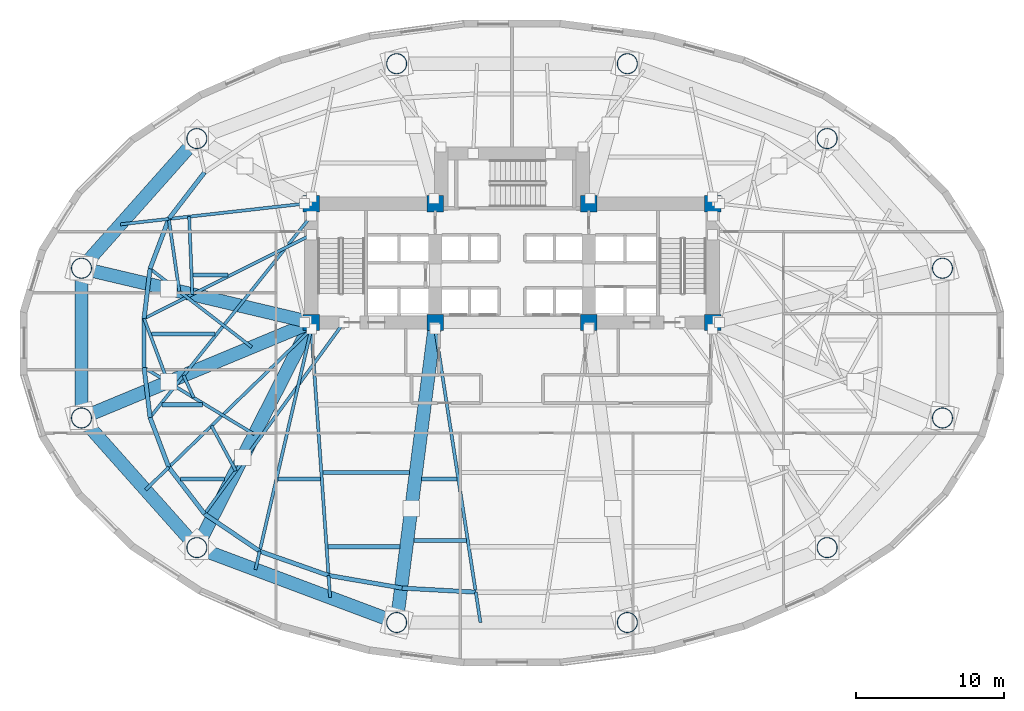
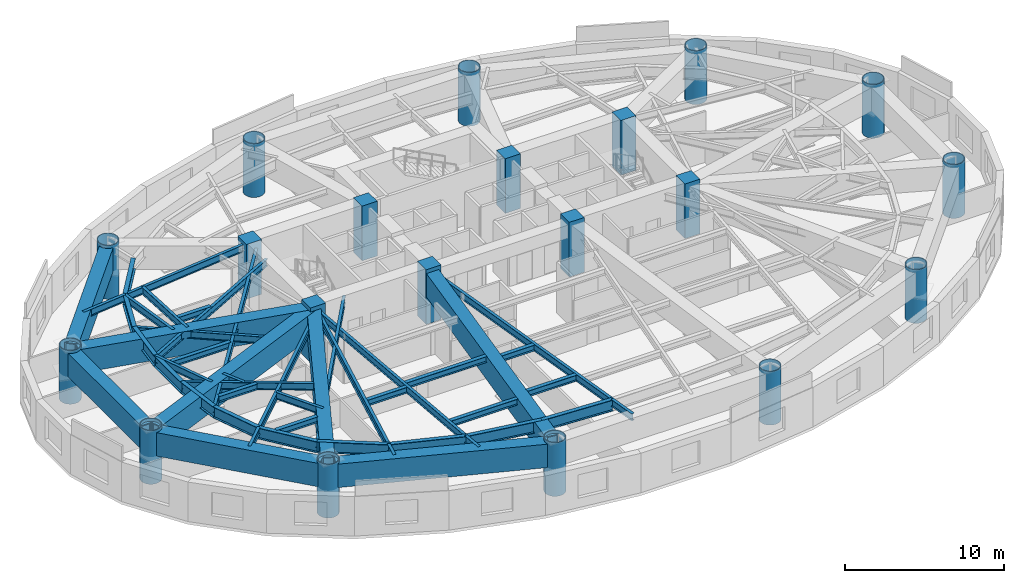
# One storey, part 1 of 14: 48 beams, 20 columns.
"""IFC4 building model written with IfcOpenShell, lengths in metres."""

from ifc_helpers import new_model, si_unit, direction, frame, origin, origin_2d, place, context, subcontext, project, spatial, rectangle, hollow_rectangle, hollow_circle, i_section, extrude, material, material_profile, profile_set, type_object, element, save


model = new_model("IFC4")

# Units and contexts
model_context = context("Model", 3, precision=1e-05, world=origin(), true_north=direction((0.0, 1.0)))
body_context = subcontext(model_context, "Body", "Model", "MODEL_VIEW")
ifc_project = project(units=[si_unit("LENGTHUNIT", "METRE"), si_unit("AREAUNIT", "SQUARE_METRE"), si_unit("VOLUMEUNIT", "CUBIC_METRE"), si_unit("PLANEANGLEUNIT", "RADIAN"), si_unit("MASSUNIT", "GRAM", prefix="KILO")], contexts=[model_context])

# Site, building, storey
site_placement = place(None, origin())
site = spatial("IfcSite", under=ifc_project, at=site_placement, CompositionType="ELEMENT")
building_placement = place(site_placement, origin())
building = spatial("IfcBuilding", under=site, at=building_placement, Name="Keldmark Tower", CompositionType="ELEMENT")
storey_placement = place(building_placement, frame((0.0, 0.0, 22.800048828125)))
storey = spatial("IfcBuildingStorey", under=building, at=storey_placement, Name="L05", CompositionType="ELEMENT", Elevation=22.800048828125)

# Columns
ifc_material_1 = material(Name="Concrete C70/85", Category="concrete")
ifc_material_profile_1 = material_profile(ifc_material_1, rectangle(XDim=1.10009765625, YDim=1.10009765625, at=origin_2d()), Name="RC1100X1100")
ifc_profile_set_1 = profile_set([ifc_material_profile_1], Name="Concrete C70/85")
column_type_1 = type_object("IfcColumnType", Name="Core Boundary Column RC1100", PredefinedType="COLUMN", material=ifc_profile_set_1)
for number, where, z_axis, x_axis, name in (
    (1, (-13.60009765625, 1.39990234375, 0.0), (0.0, 0.0, 1.0), (1.0, 0.0, 0.0), "L05 Core Boundary Column CC-W1"),
    (2, (-13.60009765625, 9.449951171875, 0.0), (0.0, 0.0, 1.0), (1.0, 0.0, 0.0), "L05 Core Boundary Column CC-W2"),
    (3, (-5.199951171875, 1.39990234375, 0.0), (0.0, 0.0, 1.0), (1.0, 0.0, 0.0), "L05 Core Boundary Column CC-W3"),
    (4, (-5.199951171875, 9.449951171875, 0.0), (0.0, 0.0, 1.0), (1.0, 0.0, 0.0), "L05 Core Boundary Column CC-W4"),
    (5, (5.199951171875, 1.39990234375, 0.0), (0.0, 0.0, 1.0), (1.0, 0.0, 0.0), "L05 Core Boundary Column CC-E1"),
    (6, (5.199951171875, 9.449951171875, 0.0), (0.0, 0.0, 1.0), (1.0, 0.0, 0.0), "L05 Core Boundary Column CC-E2"),
    (7, (13.60009765625, 1.39990234375, 0.0), (0.0, 0.0, 1.0), (1.0, 0.0, 0.0), "L05 Core Boundary Column CC-E3"),
    (8, (13.60009765625, 9.449951171875, 0.0), (0.0, 0.0, 1.0), (1.0, 0.0, 0.0), "L05 Core Boundary Column CC-E4"),
):
    element("IfcColumn", number, at=place(storey_placement, frame(where, z_axis=z_axis, x_axis=x_axis)), inside=storey, type_object=column_type_1, Name=name, PredefinedType="COLUMN", context=body_context, shape_type="SweptSolid", body=[
        extrude(rectangle(XDim=1.10009765625, YDim=1.10009765625, at=origin_2d()), origin(), (0.0, 0.0, 1.0), 4.199951171875),
    ])
ifc_material_2 = material(Name="Steel ASTM A572 Grade 50", Category="steel")
ifc_material_profile_2 = material_profile(ifc_material_2, hollow_circle(Radius=0.699951171875, WallThickness=0.050048828125, at=origin_2d()), Name="CHS1400X50")
ifc_profile_set_2 = profile_set([ifc_material_profile_2], Name="Steel ASTM A572 Grade 50")
column_type_2 = type_object("IfcColumnType", Name="Pilotis Mega-Column Upper CHS1400", PredefinedType="USERDEFINED", material=ifc_profile_set_2)
for number, where, z_axis, x_axis, name in (
    (9, (29.1708984375, 5.072998046875, 0.0), (0.0, 0.0, 1.0), (1.0, 0.0, 0.0), "L05 Pilotis Mega-Column MC-01"),
    (10, (21.3544921875, 13.859375, 0.0), (0.0, 0.0, 1.0), (1.0, 0.0, 0.0), "L05 Pilotis Mega-Column MC-02"),
    (11, (7.81640625, 18.93212890625, 0.0), (0.0, 0.0, 1.0), (1.0, 0.0, 0.0), "L05 Pilotis Mega-Column MC-03"),
    (12, (-7.81640625, 18.93212890625, 0.0), (0.0, 0.0, 1.0), (1.0, 0.0, 0.0), "L05 Pilotis Mega-Column MC-04"),
    (13, (-21.3544921875, 13.859375, 0.0), (0.0, 0.0, 1.0), (1.0, 0.0, 0.0), "L05 Pilotis Mega-Column MC-05"),
    (14, (-29.1708984375, 5.072998046875, 0.0), (0.0, 0.0, 1.0), (1.0, 0.0, 0.0), "L05 Pilotis Mega-Column MC-06"),
    (15, (-29.1708984375, -5.072998046875, 0.0), (0.0, 0.0, 1.0), (1.0, 0.0, 0.0), "L05 Pilotis Mega-Column MC-07"),
    (16, (-21.3544921875, -13.859375, 0.0), (0.0, 0.0, 1.0), (1.0, 0.0, 0.0), "L05 Pilotis Mega-Column MC-08"),
    (17, (-7.81640625, -18.93212890625, 0.0), (0.0, 0.0, 1.0), (1.0, 0.0, 0.0), "L05 Pilotis Mega-Column MC-09"),
    (18, (7.81640625, -18.93212890625, 0.0), (0.0, 0.0, 1.0), (1.0, 0.0, 0.0), "L05 Pilotis Mega-Column MC-10"),
    (19, (21.3544921875, -13.859375, 0.0), (0.0, 0.0, 1.0), (1.0, 0.0, 0.0), "L05 Pilotis Mega-Column MC-11"),
    (20, (29.1708984375, -5.072998046875, 0.0), (0.0, 0.0, 1.0), (1.0, 0.0, 0.0), "L05 Pilotis Mega-Column MC-12"),
):
    element("IfcColumn", number, at=place(storey_placement, frame(where, z_axis=z_axis, x_axis=x_axis)), inside=storey, type_object=column_type_2, Name=name, ObjectType="MEGA COLUMN", PredefinedType="USERDEFINED", context=body_context, shape_type="SweptSolid", body=[
        extrude(hollow_circle(Radius=0.699951171875, WallThickness=0.050048828125, at=origin_2d()), origin(), (0.0, 0.0, 1.0), 4.1298828125),
    ])

# Beams
ifc_material_3 = material(Name="Steel ASTM A992 Grade 50", Category="steel")
ifc_material_profile_3 = material_profile(ifc_material_3, i_section(OverallWidth=0.280029296875, OverallDepth=0.462890625, WebThickness=0.0107421875, FlangeThickness=0.017333984375, at=origin_2d()), Name="W18X76")
ifc_profile_set_3 = profile_set([ifc_material_profile_3], Name="Steel ASTM A992 Grade 50")
beam_type_1 = type_object("IfcBeamType", Name="Composite Floor Joist W18X76", PredefinedType="JOIST", material=ifc_profile_set_3)
beam_1_placement = place(storey_placement, frame((-12.470458984375, -13.800048828125, 3.66845703125), z_axis=(1.0, 0.0, 0.0), x_axis=(0.0, 1.0, 0.0)))
element("IfcBeam", 21, at=beam_1_placement, inside=storey, type_object=beam_type_1, Name="L05 Composite Floor Joist J01", PredefinedType="JOIST", context=body_context, shape_type="SweptSolid", body=[
    extrude(i_section(OverallWidth=0.280029296875, OverallDepth=0.462890625, WebThickness=0.0107421875, FlangeThickness=0.017333984375, at=origin_2d()), origin(), (0.0, 0.0, 1.0), 4.869873046875),
])
beam_2_placement = place(storey_placement, frame((-6.6572265625, -13.3798828125, 3.66845703125), z_axis=(1.0, 0.0, 0.0), x_axis=(0.0, 1.0, 0.0)))
element("IfcBeam", 22, at=beam_2_placement, inside=storey, type_object=beam_type_1, Name="L05 Composite Floor Joist J02", PredefinedType="JOIST", context=body_context, shape_type="SweptSolid", body=[
    extrude(i_section(OverallWidth=0.280029296875, OverallDepth=0.462890625, WebThickness=0.0107421875, FlangeThickness=0.017333984375, at=origin_2d()), origin(), (0.0, 0.0, 1.0), 3.56640625),
])
beam_3_placement = place(storey_placement, frame((-22.479248046875, -9.199951171875, 3.66845703125), z_axis=(1.0, 0.0, 0.0), x_axis=(0.0, 1.0, 0.0)))
element("IfcBeam", 23, at=beam_3_placement, inside=storey, type_object=beam_type_1, Name="L05 Composite Floor Joist J06", PredefinedType="JOIST", context=body_context, shape_type="SweptSolid", body=[
    extrude(i_section(OverallWidth=0.280029296875, OverallDepth=0.462890625, WebThickness=0.0107421875, FlangeThickness=0.017333984375, at=origin_2d()), origin(), (0.0, 0.0, 1.0), 2.9970703125),
])
beam_4_placement = place(storey_placement, frame((-15.859130859375, -9.199951171875, 3.66845703125), z_axis=(1.0, 0.0, 0.0), x_axis=(0.0, 1.0, 0.0)))
element("IfcBeam", 24, at=beam_4_placement, inside=storey, type_object=beam_type_1, Name="L05 Composite Floor Joist J07", PredefinedType="JOIST", context=body_context, shape_type="SweptSolid", body=[
    extrude(i_section(OverallWidth=0.280029296875, OverallDepth=0.462890625, WebThickness=0.0107421875, FlangeThickness=0.017333984375, at=origin_2d()), origin(), (0.0, 0.0, 1.0), 2.873779296875),
])
beam_5_placement = place(storey_placement, frame((-12.822265625, -8.780029296875, 3.66845703125), z_axis=(1.0, 0.0, 0.0), x_axis=(0.0, 1.0, 0.0)))
element("IfcBeam", 25, at=beam_5_placement, inside=storey, type_object=beam_type_1, Name="L05 Composite Floor Joist J08", PredefinedType="JOIST", context=body_context, shape_type="SweptSolid", body=[
    extrude(i_section(OverallWidth=0.280029296875, OverallDepth=0.462890625, WebThickness=0.0107421875, FlangeThickness=0.017333984375, at=origin_2d()), origin(), (0.0, 0.0, 1.0), 5.86767578125),
])
beam_6_placement = place(storey_placement, frame((-6.119384765625, -9.199951171875, 3.66845703125), z_axis=(1.0, 0.0, 0.0), x_axis=(0.0, 1.0, 0.0)))
element("IfcBeam", 26, at=beam_6_placement, inside=storey, type_object=beam_type_1, Name="L05 Composite Floor Joist J09", PredefinedType="JOIST", context=body_context, shape_type="SweptSolid", body=[
    extrude(i_section(OverallWidth=0.280029296875, OverallDepth=0.462890625, WebThickness=0.0107421875, FlangeThickness=0.017333984375, at=origin_2d()), origin(), (0.0, 0.0, 1.0), 2.385009765625),
])
beam_7_placement = place(storey_placement, frame((-23.717041015625, -4.179931640625, 3.66845703125), z_axis=(1.0, 0.0, 0.0), x_axis=(0.0, 1.0, 0.0)))
element("IfcBeam", 27, at=beam_7_placement, inside=storey, type_object=beam_type_1, Name="L05 Composite Floor Joist J15", PredefinedType="JOIST", context=body_context, shape_type="SweptSolid", body=[
    extrude(i_section(OverallWidth=0.280029296875, OverallDepth=0.462890625, WebThickness=0.0107421875, FlangeThickness=0.017333984375, at=origin_2d()), origin(), (0.0, 0.0, 1.0), 2.75830078125),
])
beam_8_placement = place(storey_placement, frame((-24.43603515625, 0.6201171875, 3.66845703125), z_axis=(1.0, 0.0, 0.0), x_axis=(0.0, 1.0, 0.0)))
element("IfcBeam", 28, at=beam_8_placement, inside=storey, type_object=beam_type_1, Name="L05 Composite Floor Joist J20", PredefinedType="JOIST", context=body_context, shape_type="SweptSolid", body=[
    extrude(i_section(OverallWidth=0.280029296875, OverallDepth=0.462890625, WebThickness=0.0107421875, FlangeThickness=0.017333984375, at=origin_2d()), origin(), (0.0, 0.0, 1.0), 4.310302734375),
])
beam_9_placement = place(storey_placement, frame((-21.6181640625, 4.6201171875, 3.66845703125), z_axis=(1.0, 0.0, 0.0), x_axis=(0.0, 1.0, 0.0)))
element("IfcBeam", 29, at=beam_9_placement, inside=storey, type_object=beam_type_1, Name="L05 Composite Floor Joist J22", PredefinedType="JOIST", context=body_context, shape_type="SweptSolid", body=[
    extrude(i_section(OverallWidth=0.280029296875, OverallDepth=0.462890625, WebThickness=0.0107421875, FlangeThickness=0.017333984375, at=origin_2d()), origin(), (0.0, 0.0, 1.0), 2.3671875),
])
ifc_material_4 = material(Name="Steel ASTM A572 Grade 50", Category="steel")
ifc_material_profile_4 = material_profile(ifc_material_4, hollow_rectangle(XDim=0.89990234375, YDim=1.800048828125, WallThickness=0.074951171875, at=origin_2d()), Name="TBOX1800X900X75")
ifc_profile_set_4 = profile_set([ifc_material_profile_4], Name="Steel ASTM A572 Grade 50")
beam_type_2 = type_object("IfcBeamType", Name="Perimeter Transfer Box Girder 1800x900", PredefinedType="USERDEFINED", material=ifc_profile_set_4)
beam_10_placement = place(storey_placement, frame((-21.65380859375, 13.523193359375, 3.0), z_axis=(-0.66464984112, -0.747154996436, 0.0), x_axis=(0.747154996436, -0.66464984112, 0.0)))
element("IfcBeam", 30, at=beam_10_placement, inside=storey, type_object=beam_type_2, Name="L05 Perimeter Transfer Ring Box Girder TRING-05", ObjectType="TRANSFER GIRDER", PredefinedType="USERDEFINED", context=body_context, shape_type="SweptSolid", body=[
    extrude(hollow_rectangle(XDim=0.89990234375, YDim=1.800048828125, WallThickness=0.074951171875, at=origin_2d()), origin(), (0.0, 0.0, 1.0), 10.85986328125),
])
beam_11_placement = place(storey_placement, frame((-29.1708984375, 4.622802734375, 3.0), z_axis=(0.0, -1.0, 0.0), x_axis=(1.0, 0.0, 0.0)))
element("IfcBeam", 31, at=beam_11_placement, inside=storey, type_object=beam_type_2, Name="L05 Perimeter Transfer Ring Box Girder TRING-06", ObjectType="TRANSFER GIRDER", PredefinedType="USERDEFINED", context=body_context, shape_type="SweptSolid", body=[
    extrude(hollow_rectangle(XDim=0.89990234375, YDim=1.800048828125, WallThickness=0.074951171875, at=origin_2d()), origin(), (0.0, 0.0, 1.0), 9.24560546875),
])
beam_12_placement = place(storey_placement, frame((-28.871826171875, -5.4091796875, 3.0), z_axis=(0.66464984112, -0.747154996436, 0.0), x_axis=(0.747154996436, 0.66464984112, 0.0)))
element("IfcBeam", 32, at=beam_12_placement, inside=storey, type_object=beam_type_2, Name="L05 Perimeter Transfer Ring Box Girder TRING-07", ObjectType="TRANSFER GIRDER", PredefinedType="USERDEFINED", context=body_context, shape_type="SweptSolid", body=[
    extrude(hollow_rectangle(XDim=0.89990234375, YDim=1.800048828125, WallThickness=0.074951171875, at=origin_2d()), origin(), (0.0, 0.0, 1.0), 10.85986328125),
])
beam_13_placement = place(storey_placement, frame((-20.93310546875, -14.01708984375, 3.0), z_axis=(0.936417954382, -0.350886612329, 0.0), x_axis=(0.350886612329, 0.936417954382, 0.0)))
element("IfcBeam", 33, at=beam_13_placement, inside=storey, type_object=beam_type_2, Name="L05 Perimeter Transfer Ring Box Girder TRING-08", ObjectType="TRANSFER GIRDER", PredefinedType="USERDEFINED", context=body_context, shape_type="SweptSolid", body=[
    extrude(hollow_rectangle(XDim=0.89990234375, YDim=1.800048828125, WallThickness=0.074951171875, at=origin_2d()), origin(), (0.0, 0.0, 1.0), 13.557373046875),
])
beam_14_placement = place(storey_placement, frame((-28.73291015625, 4.969482421875, 3.0), z_axis=(0.973292516513, -0.229568458854, 0.0), x_axis=(0.229568458854, 0.973292516513, 0.0)))
element("IfcBeam", 34, at=beam_14_placement, inside=storey, type_object=beam_type_2, Name="L05 Primary Transfer Box Girder TB-TC-W1", ObjectType="TRANSFER GIRDER", PredefinedType="USERDEFINED", context=body_context, shape_type="SweptSolid", body=[
    extrude(hollow_rectangle(XDim=0.89990234375, YDim=1.800048828125, WallThickness=0.074951171875, at=origin_2d()), origin(), (0.0, 0.0, 1.0), 15.1982421875),
])
beam_15_placement = place(storey_placement, frame((-28.755615234375, -4.900146484375, 3.0), z_axis=(0.923395872542, 0.383849010123, 0.0), x_axis=(-0.383849010123, 0.923395872542, 0.0)))
element("IfcBeam", 35, at=beam_15_placement, inside=storey, type_object=beam_type_2, Name="L05 Primary Transfer Box Girder TB-TC-W5", ObjectType="TRANSFER GIRDER", PredefinedType="USERDEFINED", context=body_context, shape_type="SweptSolid", body=[
    extrude(hollow_rectangle(XDim=0.89990234375, YDim=1.800048828125, WallThickness=0.074951171875, at=origin_2d()), origin(), (0.0, 0.0, 1.0), 16.06298828125),
])
beam_16_placement = place(storey_placement, frame((-21.150634765625, -13.4580078125, 3.0), z_axis=(0.45304555932, 0.891487364566, 0.0), x_axis=(-0.891487364566, 0.45304555932, 0.0)))
element("IfcBeam", 36, at=beam_16_placement, inside=storey, type_object=beam_type_2, Name="L05 Primary Transfer Box Girder TB-TC-W2", ObjectType="TRANSFER GIRDER", PredefinedType="USERDEFINED", context=body_context, shape_type="SweptSolid", body=[
    extrude(hollow_rectangle(XDim=0.89990234375, YDim=1.800048828125, WallThickness=0.074951171875, at=origin_2d()), origin(), (0.0, 0.0, 1.0), 16.31640625),
])
beam_17_placement = place(storey_placement, frame((-7.7587890625, -18.48583984375, 3.0), z_axis=(0.127622930912, 0.991822760127, 0.0), x_axis=(-0.991822760127, 0.127622930912, 0.0)))
element("IfcBeam", 37, at=beam_17_placement, inside=storey, type_object=beam_type_2, Name="L05 Primary Transfer Box Girder TB-TC-W3", ObjectType="TRANSFER GIRDER", PredefinedType="USERDEFINED", context=body_context, shape_type="SweptSolid", body=[
    extrude(hollow_rectangle(XDim=0.89990234375, YDim=1.800048828125, WallThickness=0.074951171875, at=origin_2d()), origin(), (0.0, 0.0, 1.0), 19.699951171875),
])
ifc_material_5 = material(Name="Steel ASTM A992 Grade 50", Category="steel")
ifc_material_profile_5 = material_profile(ifc_material_5, i_section(OverallWidth=0.2099609375, OverallDepth=0.537109375, WebThickness=0.010986328125, FlangeThickness=0.017333984375, at=origin_2d()), Name="W21X68")
ifc_profile_set_5 = profile_set([ifc_material_profile_5], Name="Steel ASTM A992 Grade 50")
beam_type_3 = type_object("IfcBeamType", Name="Radial Tie Girder W21X68", PredefinedType="BEAM", material=ifc_profile_set_5)
beam_18_placement = place(storey_placement, frame((-14.050048828125, 9.449951171875, 3.63134765625), z_axis=(-0.99373468257, -0.111764845358, 0.0), x_axis=(0.111764845358, -0.99373468257, 0.0)))
element("IfcBeam", 38, at=beam_18_placement, inside=storey, type_object=beam_type_3, Name="L05 Perimeter Radial Tie Girder RT-14", PredefinedType="BEAM", context=body_context, shape_type="SweptSolid", body=[
    extrude(i_section(OverallWidth=0.2099609375, OverallDepth=0.537109375, WebThickness=0.010986328125, FlangeThickness=0.017333984375, at=origin_2d()), origin(), (0.0, 0.0, 1.0), 9.26416015625),
])
beam_19_placement = place(storey_placement, frame((-23.256103515625, 8.41455078125, 3.63134765625), z_axis=(-0.993735334561, -0.111759048155, 0.0), x_axis=(0.111759048155, -0.993735334561, 0.0)))
element("IfcBeam", 39, at=beam_19_placement, inside=storey, type_object=beam_type_3, Name="L05 Podium Overhang Tie Girder RT-14X", PredefinedType="BEAM", context=body_context, shape_type="SweptSolid", body=[
    extrude(i_section(OverallWidth=0.2099609375, OverallDepth=0.537109375, WebThickness=0.010986328125, FlangeThickness=0.017333984375, at=origin_2d()), origin(), (0.0, 0.0, 1.0), 3.289794921875),
])
beam_20_placement = place(storey_placement, frame((-23.256103515625, 8.41455078125, 3.63134765625), z_axis=(0.14340739452, -0.989663740468, 0.0), x_axis=(0.989663740468, 0.14340739452, 0.0)))
element("IfcBeam", 40, at=beam_20_placement, inside=storey, type_object=beam_type_3, Name="L05 Framing Pin Header PH-005", PredefinedType="BEAM", context=body_context, shape_type="SweptSolid", body=[
    extrude(i_section(OverallWidth=0.2099609375, OverallDepth=0.537109375, WebThickness=0.010986328125, FlangeThickness=0.017333984375, at=origin_2d()), origin(), (0.0, 0.0, 1.0), 4.955810546875),
])
beam_21_placement = place(storey_placement, frame((-17.63134765625, -0.27587890625, 3.63134765625), z_axis=(-0.792168113239, 0.610302941471, 0.0), x_axis=(-0.610302941471, -0.792168113239, 0.0)))
element("IfcBeam", 41, at=beam_21_placement, inside=storey, type_object=beam_type_3, Name="L05 Perimeter Radial Tie Girder RT-15", PredefinedType="BEAM", context=body_context, shape_type="SweptSolid", body=[
    extrude(i_section(OverallWidth=0.2099609375, OverallDepth=0.537109375, WebThickness=0.010986328125, FlangeThickness=0.017333984375, at=origin_2d()), origin(), (0.0, 0.0, 1.0), 8.704345703125),
])
beam_22_placement = place(storey_placement, frame((-21.875244140625, 8.56982421875, 3.63134765625), z_axis=(0.040700294747, -0.999171399715, 0.0), x_axis=(0.999171399715, 0.040700294747, 0.0)))
element("IfcBeam", 42, at=beam_22_placement, inside=storey, type_object=beam_type_3, Name="L05 Framing Pin Header PH-006", PredefinedType="BEAM", context=body_context, shape_type="SweptSolid", body=[
    extrude(i_section(OverallWidth=0.2099609375, OverallDepth=0.537109375, WebThickness=0.010986328125, FlangeThickness=0.017333984375, at=origin_2d()), origin(), (0.0, 0.0, 1.0), 5.272705078125),
])
beam_23_placement = place(storey_placement, frame((-13.60009765625, 7.343017578125, 3.63134765625), z_axis=(-0.893925809791, -0.448214955784, 0.0), x_axis=(0.448214955784, -0.893925809791, 0.0)))
element("IfcBeam", 43, at=beam_23_placement, inside=storey, type_object=beam_type_3, Name="L05 Perimeter Radial Tie Girder RT-16", PredefinedType="BEAM", context=body_context, shape_type="SweptSolid", body=[
    extrude(i_section(OverallWidth=0.2099609375, OverallDepth=0.537109375, WebThickness=0.010986328125, FlangeThickness=0.017333984375, at=origin_2d()), origin(), (0.0, 0.0, 1.0), 12.674560546875),
])
beam_24_placement = place(storey_placement, frame((-24.93017578125, 1.662109375, 3.63134765625), z_axis=(0.351385505879, -0.936230861625, 0.0), x_axis=(0.936230861625, 0.351385505879, 0.0)))
element("IfcBeam", 44, at=beam_24_placement, inside=storey, type_object=beam_type_3, Name="L05 Framing Pin Header PH-007", PredefinedType="BEAM", context=body_context, shape_type="SweptSolid", body=[
    extrude(i_section(OverallWidth=0.2099609375, OverallDepth=0.537109375, WebThickness=0.010986328125, FlangeThickness=0.017333984375, at=origin_2d()), origin(), (0.0, 0.0, 1.0), 4.593994140625),
])
beam_25_placement = place(storey_placement, frame((-17.45458984375, -6.18505859375, 3.63134765625), z_axis=(-0.855588665632, 0.517656290643, 0.0), x_axis=(-0.517656290643, -0.855588665632, 0.0)))
element("IfcBeam", 45, at=beam_25_placement, inside=storey, type_object=beam_type_3, Name="L05 Perimeter Radial Tie Girder RT-17", PredefinedType="BEAM", context=body_context, shape_type="SweptSolid", body=[
    extrude(i_section(OverallWidth=0.2099609375, OverallDepth=0.537109375, WebThickness=0.010986328125, FlangeThickness=0.017333984375, at=origin_2d()), origin(), (0.0, 0.0, 1.0), 8.7373046875),
])
beam_26_placement = place(storey_placement, frame((-21.566162109375, -3.697509765625, 3.63134765625), z_axis=(-0.418044789549, 0.908426416355, 0.0), x_axis=(-0.908426416355, -0.418044789549, 0.0)))
element("IfcBeam", 46, at=beam_26_placement, inside=storey, type_object=beam_type_3, Name="L05 Framing Pin Header PH-008", PredefinedType="BEAM", context=body_context, shape_type="SweptSolid", body=[
    extrude(i_section(OverallWidth=0.2099609375, OverallDepth=0.537109375, WebThickness=0.010986328125, FlangeThickness=0.017333984375, at=origin_2d()), origin(), (0.0, 0.0, 1.0), 1.650390625),
])
beam_27_placement = place(storey_placement, frame((-13.60009765625, 8.621337890625, 3.63134765625), z_axis=(-0.624706963166, -0.780859276805, 0.0), x_axis=(0.780859276805, -0.624706963166, 0.0)))
element("IfcBeam", 47, at=beam_27_placement, inside=storey, type_object=beam_type_3, Name="L05 Perimeter Radial Tie Girder RT-18", PredefinedType="BEAM", context=body_context, shape_type="SweptSolid", body=[
    extrude(i_section(OverallWidth=0.2099609375, OverallDepth=0.537109375, WebThickness=0.010986328125, FlangeThickness=0.017333984375, at=origin_2d()), origin(), (0.0, 0.0, 1.0), 17.49072265625),
])
beam_28_placement = place(storey_placement, frame((-13.60009765625, 0.949951171875, 3.63134765625), z_axis=(-0.717859436099, -0.696188070857, 0.0), x_axis=(0.696188070857, -0.717859436099, 0.0)))
element("IfcBeam", 48, at=beam_28_placement, inside=storey, type_object=beam_type_3, Name="L05 Perimeter Radial Tie Girder RT-19", PredefinedType="BEAM", context=body_context, shape_type="SweptSolid", body=[
    extrude(i_section(OverallWidth=0.2099609375, OverallDepth=0.537109375, WebThickness=0.010986328125, FlangeThickness=0.017333984375, at=origin_2d()), origin(), (0.0, 0.0, 1.0), 13.451171875),
])
beam_29_placement = place(storey_placement, frame((-23.256103515625, -8.41455078125, 3.63134765625), z_axis=(-0.717897032676, -0.696149301856, 0.0), x_axis=(0.696149301856, -0.717897032676, 0.0)))
element("IfcBeam", 49, at=beam_29_placement, inside=storey, type_object=beam_type_3, Name="L05 Podium Overhang Tie Girder RT-19X", PredefinedType="BEAM", context=body_context, shape_type="SweptSolid", body=[
    extrude(i_section(OverallWidth=0.2099609375, OverallDepth=0.537109375, WebThickness=0.010986328125, FlangeThickness=0.017333984375, at=origin_2d()), origin(), (0.0, 0.0, 1.0), 2.2001953125),
])
beam_30_placement = place(storey_placement, frame((-20.359375, -5.605224609375, 3.63134765625), z_axis=(0.474804584823, -0.880091248809, 0.0), x_axis=(0.880091248809, 0.474804584823, 0.0)))
element("IfcBeam", 50, at=beam_30_placement, inside=storey, type_object=beam_type_3, Name="L05 Framing Pin Header PH-009", PredefinedType="BEAM", context=body_context, shape_type="SweptSolid", body=[
    extrude(i_section(OverallWidth=0.2099609375, OverallDepth=0.537109375, WebThickness=0.010986328125, FlangeThickness=0.017333984375, at=origin_2d()), origin(), (0.0, 0.0, 1.0), 3.4697265625),
])
beam_31_placement = place(storey_placement, frame((-11.392822265625, 1.39990234375, 3.63134765625), z_axis=(-0.588349932487, -0.808606428952, 0.0), x_axis=(0.808606428952, -0.588349932487, 0.0)))
element("IfcBeam", 51, at=beam_31_placement, inside=storey, type_object=beam_type_3, Name="L05 Perimeter Radial Tie Girder RT-20", PredefinedType="BEAM", context=body_context, shape_type="SweptSolid", body=[
    extrude(i_section(OverallWidth=0.2099609375, OverallDepth=0.537109375, WebThickness=0.010986328125, FlangeThickness=0.017333984375, at=origin_2d()), origin(), (0.0, 0.0, 1.0), 16.04345703125),
])
beam_32_placement = place(storey_placement, frame((-13.60009765625, 0.949951171875, 3.63134765625), z_axis=(-0.22626355798, -0.974066118049, 0.0), x_axis=(0.974066118049, -0.22626355798, 0.0)))
element("IfcBeam", 52, at=beam_32_placement, inside=storey, type_object=beam_type_3, Name="L05 Perimeter Radial Tie Girder RT-21", PredefinedType="BEAM", context=body_context, shape_type="SweptSolid", body=[
    extrude(i_section(OverallWidth=0.2099609375, OverallDepth=0.537109375, WebThickness=0.010986328125, FlangeThickness=0.017333984375, at=origin_2d()), origin(), (0.0, 0.0, 1.0), 15.452392578125),
])
beam_33_placement = place(storey_placement, frame((-17.096435546875, -14.101806640625, 3.63134765625), z_axis=(-0.226408110408, -0.974032528996, 0.0), x_axis=(0.974032528996, -0.226408110408, 0.0)))
element("IfcBeam", 53, at=beam_33_placement, inside=storey, type_object=beam_type_3, Name="L05 Podium Overhang Tie Girder RT-21X", PredefinedType="BEAM", context=body_context, shape_type="SweptSolid", body=[
    extrude(i_section(OverallWidth=0.2099609375, OverallDepth=0.537109375, WebThickness=0.010986328125, FlangeThickness=0.017333984375, at=origin_2d()), origin(), (0.0, 0.0, 1.0), 1.27783203125),
])
beam_34_placement = place(storey_placement, frame((-13.60009765625, 0.949951171875, 3.63134765625), z_axis=(0.069885605544, -0.997555012086, 0.0), x_axis=(0.997555012086, 0.069885605544, 0.0)))
element("IfcBeam", 54, at=beam_34_placement, inside=storey, type_object=beam_type_3, Name="L05 Perimeter Radial Tie Girder RT-22", PredefinedType="BEAM", context=body_context, shape_type="SweptSolid", body=[
    extrude(i_section(OverallWidth=0.2099609375, OverallDepth=0.537109375, WebThickness=0.010986328125, FlangeThickness=0.017333984375, at=origin_2d()), origin(), (0.0, 0.0, 1.0), 16.733642578125),
])
beam_35_placement = place(storey_placement, frame((-12.4306640625, -15.74267578125, 3.63134765625), z_axis=(0.069827511722, -0.997559080259, 0.0), x_axis=(0.997559080259, 0.069827511722, 0.0)))
element("IfcBeam", 55, at=beam_35_placement, inside=storey, type_object=beam_type_3, Name="L05 Podium Overhang Tie Girder RT-22X", PredefinedType="BEAM", context=body_context, shape_type="SweptSolid", body=[
    extrude(i_section(OverallWidth=0.2099609375, OverallDepth=0.537109375, WebThickness=0.010986328125, FlangeThickness=0.017333984375, at=origin_2d()), origin(), (0.0, 0.0, 1.0), 1.50341796875),
])
beam_36_placement = place(storey_placement, frame((-5.199951171875, 0.949951171875, 3.63134765625), z_axis=(0.152177211887, -0.9883532244, 0.0), x_axis=(0.9883532244, 0.152177211887, 0.0)))
element("IfcBeam", 56, at=beam_36_placement, inside=storey, type_object=beam_type_3, Name="L05 Perimeter Radial Tie Girder RT-24", PredefinedType="BEAM", context=body_context, shape_type="SweptSolid", body=[
    extrude(i_section(OverallWidth=0.2099609375, OverallDepth=0.537109375, WebThickness=0.010986328125, FlangeThickness=0.017333984375, at=origin_2d()), origin(), (0.0, 0.0, 1.0), 18.03564453125),
])
beam_37_placement = place(storey_placement, frame((-2.455322265625, -16.875732421875, 3.63134765625), z_axis=(0.152074819396, -0.988368984391, 0.0), x_axis=(0.988368984391, 0.152074819396, 0.0)))
element("IfcBeam", 57, at=beam_37_placement, inside=storey, type_object=beam_type_3, Name="L05 Podium Overhang Tie Girder RT-24X", PredefinedType="BEAM", context=body_context, shape_type="SweptSolid", body=[
    extrude(i_section(OverallWidth=0.2099609375, OverallDepth=0.537109375, WebThickness=0.010986328125, FlangeThickness=0.017333984375, at=origin_2d()), origin(), (0.0, 0.0, 1.0), 2.08056640625),
])
ifc_material_6 = material(Name="Steel ASTM A992 Grade 50", Category="steel")
ifc_material_profile_6 = material_profile(ifc_material_6, i_section(OverallWidth=0.2919921875, OverallDepth=0.85888671875, WebThickness=0.01708984375, FlangeThickness=0.031005859375, at=origin_2d()), Name="W33X169")
ifc_profile_set_6 = profile_set([ifc_material_profile_6], Name="Steel ASTM A992 Grade 50")
beam_type_4 = type_object("IfcBeamType", Name="Spandrel Ring Beam W33X169", PredefinedType="SPANDREL", material=ifc_profile_set_6)
beam_38_placement = place(storey_placement, frame((-20.83203125, 11.572998046875, 3.470458984375), z_axis=(-0.608842118876, -0.793291418259, 0.0), x_axis=(0.793291418259, -0.608842118876, 0.0)))
element("IfcBeam", 58, at=beam_38_placement, inside=storey, type_object=beam_type_4, Name="L05 Perimeter Spandrel Ring Beam SRB-13", PredefinedType="SPANDREL", context=body_context, shape_type="SweptSolid", body=[
    extrude(i_section(OverallWidth=0.2919921875, OverallDepth=0.85888671875, WebThickness=0.01708984375, FlangeThickness=0.031005859375, at=origin_2d()), origin(), (0.0, 0.0, 1.0), 3.9814453125),
])
beam_39_placement = place(storey_placement, frame((-23.256103515625, 8.41455078125, 3.470458984375), z_axis=(-0.352020260699, -0.935992380341, 0.0), x_axis=(0.935992380341, -0.352020260699, 0.0)))
element("IfcBeam", 59, at=beam_39_placement, inside=storey, type_object=beam_type_4, Name="L05 Perimeter Spandrel Ring Beam SRB-14", PredefinedType="SPANDREL", context=body_context, shape_type="SweptSolid", body=[
    extrude(i_section(OverallWidth=0.2919921875, OverallDepth=0.85888671875, WebThickness=0.01708984375, FlangeThickness=0.031005859375, at=origin_2d()), origin(), (0.0, 0.0, 1.0), 3.609130859375),
])
beam_40_placement = place(storey_placement, frame((-24.526611328125, 5.036376953125, 3.470458984375), z_axis=(-0.118754274869, -0.992923673905, 0.0), x_axis=(0.992923673905, -0.118754274869, 0.0)))
element("IfcBeam", 60, at=beam_40_placement, inside=storey, type_object=beam_type_4, Name="L05 Perimeter Spandrel Ring Beam SRB-15", PredefinedType="SPANDREL", context=body_context, shape_type="SweptSolid", body=[
    extrude(i_section(OverallWidth=0.2919921875, OverallDepth=0.85888671875, WebThickness=0.01708984375, FlangeThickness=0.031005859375, at=origin_2d()), origin(), (0.0, 0.0, 1.0), 3.398193359375),
])
beam_41_placement = place(storey_placement, frame((-24.93017578125, 1.662109375, 3.470458984375), z_axis=(0.0, -1.0, 0.0), x_axis=(1.0, 0.0, 0.0)))
element("IfcBeam", 61, at=beam_41_placement, inside=storey, type_object=beam_type_4, Name="L05 Perimeter Spandrel Ring Beam SRB-16", PredefinedType="SPANDREL", context=body_context, shape_type="SweptSolid", body=[
    extrude(i_section(OverallWidth=0.2919921875, OverallDepth=0.85888671875, WebThickness=0.01708984375, FlangeThickness=0.031005859375, at=origin_2d()), origin(), (0.0, 0.0, 1.0), 3.32421875),
])
beam_42_placement = place(storey_placement, frame((-24.93017578125, -1.662109375, 3.470458984375), z_axis=(0.118754274869, -0.992923673905, 0.0), x_axis=(0.992923673905, 0.118754274869, 0.0)))
element("IfcBeam", 62, at=beam_42_placement, inside=storey, type_object=beam_type_4, Name="L05 Perimeter Spandrel Ring Beam SRB-17", PredefinedType="SPANDREL", context=body_context, shape_type="SweptSolid", body=[
    extrude(i_section(OverallWidth=0.2919921875, OverallDepth=0.85888671875, WebThickness=0.01708984375, FlangeThickness=0.031005859375, at=origin_2d()), origin(), (0.0, 0.0, 1.0), 3.398193359375),
])
beam_43_placement = place(storey_placement, frame((-24.526611328125, -5.036376953125, 3.470458984375), z_axis=(0.352020260699, -0.935992380341, 0.0), x_axis=(0.935992380341, 0.352020260699, 0.0)))
element("IfcBeam", 63, at=beam_43_placement, inside=storey, type_object=beam_type_4, Name="L05 Perimeter Spandrel Ring Beam SRB-18", PredefinedType="SPANDREL", context=body_context, shape_type="SweptSolid", body=[
    extrude(i_section(OverallWidth=0.2919921875, OverallDepth=0.85888671875, WebThickness=0.01708984375, FlangeThickness=0.031005859375, at=origin_2d()), origin(), (0.0, 0.0, 1.0), 3.609130859375),
])
beam_44_placement = place(storey_placement, frame((-23.256103515625, -8.41455078125, 3.470458984375), z_axis=(0.608842118876, -0.793291418259, 0.0), x_axis=(0.793291418259, 0.608842118876, 0.0)))
element("IfcBeam", 64, at=beam_44_placement, inside=storey, type_object=beam_type_4, Name="L05 Perimeter Spandrel Ring Beam SRB-19", PredefinedType="SPANDREL", context=body_context, shape_type="SweptSolid", body=[
    extrude(i_section(OverallWidth=0.2919921875, OverallDepth=0.85888671875, WebThickness=0.01708984375, FlangeThickness=0.031005859375, at=origin_2d()), origin(), (0.0, 0.0, 1.0), 3.9814453125),
])
beam_45_placement = place(storey_placement, frame((-20.83203125, -11.572998046875, 3.470458984375), z_axis=(0.828099422664, -0.560581257431, 0.0), x_axis=(0.560581257431, 0.828099422664, 0.0)))
element("IfcBeam", 65, at=beam_45_placement, inside=storey, type_object=beam_type_4, Name="L05 Perimeter Spandrel Ring Beam SRB-20", PredefinedType="SPANDREL", context=body_context, shape_type="SweptSolid", body=[
    extrude(i_section(OverallWidth=0.2919921875, OverallDepth=0.85888671875, WebThickness=0.01708984375, FlangeThickness=0.031005859375, at=origin_2d()), origin(), (0.0, 0.0, 1.0), 4.510986328125),
])
beam_46_placement = place(storey_placement, frame((-17.096435546875, -14.101806640625, 3.470458984375), z_axis=(0.94336246541, -0.331763860082, 0.0), x_axis=(0.331763860082, 0.94336246541, 0.0)))
element("IfcBeam", 66, at=beam_46_placement, inside=storey, type_object=beam_type_4, Name="L05 Perimeter Spandrel Ring Beam SRB-21", PredefinedType="SPANDREL", context=body_context, shape_type="SweptSolid", body=[
    extrude(i_section(OverallWidth=0.2919921875, OverallDepth=0.85888671875, WebThickness=0.01708984375, FlangeThickness=0.031005859375, at=origin_2d()), origin(), (0.0, 0.0, 1.0), 4.94580078125),
])
beam_47_placement = place(storey_placement, frame((-12.4306640625, -15.74267578125, 3.470458984375), z_axis=(0.985480149415, -0.169790680278, 0.0), x_axis=(0.169790680278, 0.985480149415, 0.0)))
element("IfcBeam", 67, at=beam_47_placement, inside=storey, type_object=beam_type_4, Name="L05 Perimeter Spandrel Ring Beam SRB-22", PredefinedType="SPANDREL", context=body_context, shape_type="SweptSolid", body=[
    extrude(i_section(OverallWidth=0.2919921875, OverallDepth=0.85888671875, WebThickness=0.01708984375, FlangeThickness=0.031005859375, at=origin_2d()), origin(), (0.0, 0.0, 1.0), 5.064208984375),
])
beam_48_placement = place(storey_placement, frame((-7.43994140625, -16.6025390625, 3.470458984375), z_axis=(0.998501456853, -0.054725137396, 0.0), x_axis=(0.054725137396, 0.998501456853, 0.0)))
element("IfcBeam", 68, at=beam_48_placement, inside=storey, type_object=beam_type_4, Name="L05 Perimeter Spandrel Ring Beam SRB-23", PredefinedType="SPANDREL", context=body_context, shape_type="SweptSolid", body=[
    extrude(i_section(OverallWidth=0.2919921875, OverallDepth=0.85888671875, WebThickness=0.01708984375, FlangeThickness=0.031005859375, at=origin_2d()), origin(), (0.0, 0.0, 1.0), 4.9921875),
])

save(model, "model.ifc")
